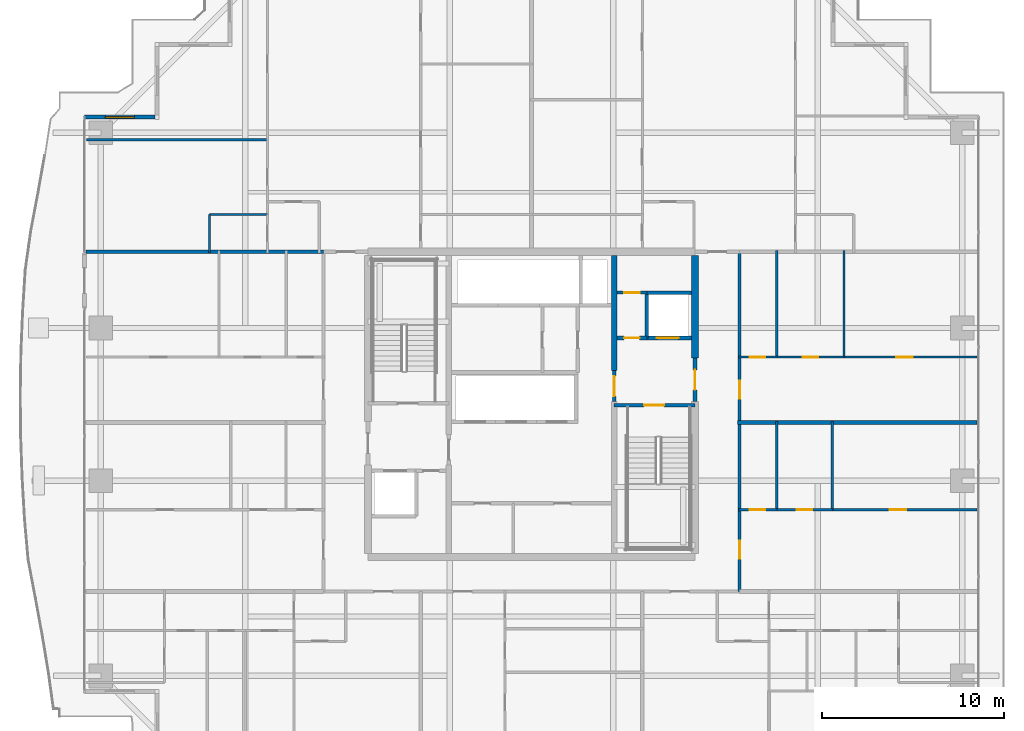
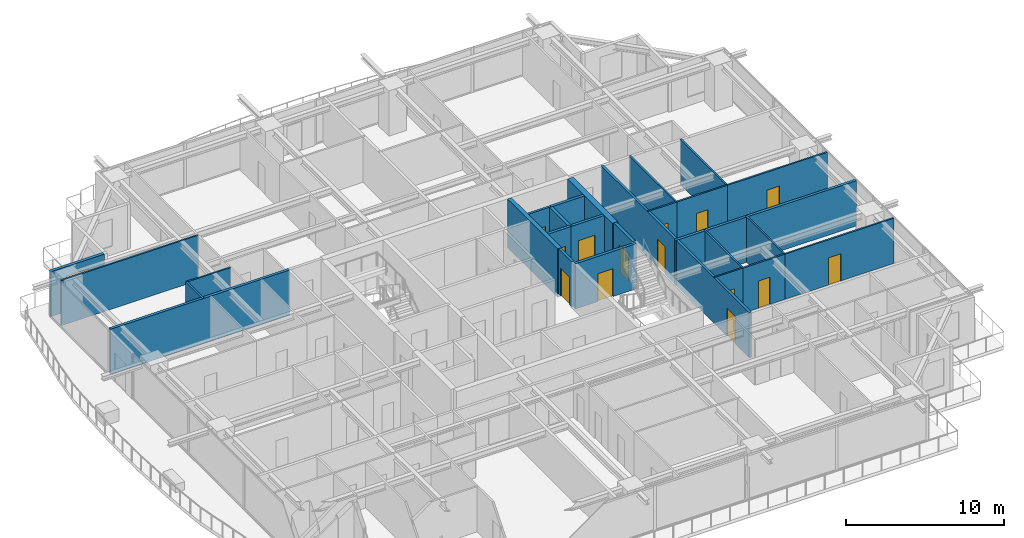
# One storey, part 29 of 39: 27 walls, 14 doors, 1 window, 15 openings.
"""IFC4 building model written with IfcOpenShell, lengths in metres."""

from ifc_helpers import new_model, si_unit, direction, frame, frame_2d, origin, place, context, subcontext, project, spatial, rectangle, extrude, source, transform, mapped, material, layer, layer_set, type_object, element, fill, save


model = new_model("IFC4")

# Units and contexts
model_context = context("Model", 3, precision=1e-05, world=origin(), true_north=direction((0.0, 1.0)))
body_context = subcontext(model_context, "Body", "Model", "MODEL_VIEW")
ifc_project = project(units=[si_unit("LENGTHUNIT", "METRE"), si_unit("AREAUNIT", "SQUARE_METRE"), si_unit("VOLUMEUNIT", "CUBIC_METRE"), si_unit("PLANEANGLEUNIT", "RADIAN"), si_unit("MASSUNIT", "GRAM", prefix="KILO")], contexts=[model_context])

# Site, building, storey
site_placement = place(None, origin())
site = spatial("IfcSite", under=ifc_project, at=site_placement, CompositionType="ELEMENT")
building_placement = place(site_placement, origin())
building = spatial("IfcBuilding", under=site, at=building_placement, Name="Serunith Strait Residences", CompositionType="ELEMENT")
storey_placement = place(building_placement, frame((0.0, 0.0, 123.89990234375)))
storey = spatial("IfcBuildingStorey", under=building, at=storey_placement, Name="L30", CompositionType="ELEMENT", Elevation=123.89990234375)

# Wall, opening, window
ifc_material_1 = material(Name="Pale-Champagne Aluminium Insulated Panel", Category="aluminium")
ifc_layer_1 = layer(ifc_material_1, 0.219970703125, Name="Pale-Champagne Aluminium Insulated Panel")
ifc_layer_set_1 = layer_set([ifc_layer_1], Name="Pale-Champagne Aluminium Insulated Panel")
wall_type_1 = type_object("IfcWallType", Name="EW-ALUM-220", PredefinedType="ELEMENTEDWALL", material=ifc_layer_set_1)
wall_1_placement = place(storey_placement, frame((11.68994140625, 41.0, 0.0), z_axis=(0.0, 0.0, 1.0), x_axis=(-1.0, 0.0, 0.0)))
wall_1 = element("IfcWall", 1, at=wall_1_placement, inside=storey, type_object=wall_type_1, Name="L30 Girih Serrated Corner Wall 15", PredefinedType="ELEMENTEDWALL", context=body_context, shape_type="SweptSolid", body=[
    extrude(rectangle(XDim=3.889892578125, YDim=0.219970703125, at=frame_2d((1.94482421875, 0.0))), origin(), (0.0, 0.0, 1.0), 3.47509765625),
])
opening_1_placement = place(wall_1_placement, frame((1.14501953125, 0.0, 0.64990234375)))
opening_1 = element("IfcOpeningElement", 2, at=opening_1_placement, cuts=wall_1, Name="Opening W-02", PredefinedType="OPENING", context=body_context, shape_type="SweptSolid", body=[
    extrude(rectangle(XDim=1.60009765625, YDim=2.10009765625, at=frame_2d((0.800048828125, 1.050048828125))), frame((0.0, 0.1201171875, 0.0), z_axis=(0.0, -1.0, 0.0), x_axis=(1.0, 0.0, 0.0)), (0.0, 0.0, 1.0), 0.239990234375),
])
ifc_material_2 = material(Name="Ceramic-Fritted Operable Aluminium Window Glass", Category="aluminium")
window_type = type_object("IfcWindowType", Name="WIN-C2", PartitioningType="DOUBLE_PANEL_VERTICAL", PredefinedType="WINDOW", material=ifc_material_2)
shared_shape_1 = source(origin(), body_context, "Body", "SweptSolid", [
    extrude(rectangle(XDim=1.60009765625, YDim=2.10009765625, at=frame_2d((0.800048828125, 1.050048828125))), frame((0.0, 0.030029296875, 0.0), z_axis=(0.0, -1.0, 0.0), x_axis=(1.0, 0.0, 0.0)), (0.0, 0.0, 1.0), 0.06005859375),
])
window_placement = place(opening_1_placement, origin())
window = element("IfcWindow", 3, at=window_placement, inside=storey, type_object=window_type, Name="L30 Corner Operable Fritted Window 15", OverallHeight=2.10009765625, OverallWidth=1.60009765625, PartitioningType="SINGLE_PANEL", PredefinedType="WINDOW", context=body_context, shape_type="MappedRepresentation", body=[
    mapped(shared_shape_1, transform((0.0, 0.0, 0.0), scale=1.0)),
])
fill(opening_1, window)

# Wall, opening, door
ifc_material_3 = material(Name="Fire-rated masonry service closet wall", Category="masonry")
ifc_layer_2 = layer(ifc_material_3, 0.14990234375, Name="Fire-rated masonry service closet wall")
ifc_layer_set_2 = layer_set([ifc_layer_2], Name="Fire-rated masonry service closet wall")
wall_type_2 = type_object("IfcWallType", Name="IW-BOH-150", PredefinedType="PARTITIONING", material=ifc_layer_set_2)
wall_2_placement = place(storey_placement, frame((37.10009765625, 31.35009765625, 0.0), z_axis=(0.0, 0.0, 1.0), x_axis=(1.0, 0.0, 0.0)))
wall_2 = element("IfcWall", 4, at=wall_2_placement, inside=storey, type_object=wall_type_2, Name="L30 Partition Wall 012", PredefinedType="PARTITIONING", context=body_context, shape_type="SweptSolid", body=[
    extrude(rectangle(XDim=1.64794921875, YDim=0.14990234375, at=frame_2d((0.823974609375, 0.0))), origin(), (0.0, 0.0, 1.0), 3.489990234375),
])
opening_2_placement = place(wall_2_placement, frame((0.39892578125, 0.0, 0.0)))
opening_2 = element("IfcOpeningElement", 5, at=opening_2_placement, cuts=wall_2, Name="Opening FD-850", PredefinedType="OPENING", context=body_context, shape_type="SweptSolid", body=[
    extrude(rectangle(XDim=0.85009765625, YDim=2.10009765625, at=frame_2d((0.425048828125, 1.050048828125))), frame((0.0, 0.0849609375, 0.0), z_axis=(0.0, -1.0, 0.0), x_axis=(1.0, 0.0, 0.0)), (0.0, 0.0, 1.0), 0.169921875),
])
ifc_material_4 = material(Name="Powder-coated steel service closet door", Category="steel")
door_type_1 = type_object("IfcDoorType", Name="FD-BOH-850", OperationType="NOTDEFINED", PredefinedType="DOOR", material=ifc_material_4)
shared_shape_2 = source(origin(), body_context, "Body", "SweptSolid", [
    extrude(rectangle(XDim=0.85009765625, YDim=2.10009765625, at=frame_2d((0.425048828125, 1.050048828125))), frame((0.0, 0.02490234375, 0.0), z_axis=(0.0, -1.0, 0.0), x_axis=(1.0, 0.0, 0.0)), (0.0, 0.0, 1.0), 0.050048828125),
])
door_1_placement = place(opening_2_placement, origin())
door_1 = element("IfcDoor", 6, at=door_1_placement, inside=storey, type_object=door_type_1, Name="L30 Spare Parts Store Door", OperationType="SINGLE_SWING_LEFT", OverallHeight=2.10009765625, OverallWidth=0.85009765625, PredefinedType="DOOR", context=body_context, shape_type="MappedRepresentation", body=[
    mapped(shared_shape_2, transform((0.0, 0.0, 0.0), scale=1.0)),
])
fill(opening_2, door_1)

# Wall, openings, doors
ifc_material_5 = material(Name="Fire-rated acoustic gypsum partition")
ifc_layer_3 = layer(ifc_material_5, 0.179931640625, Name="Fire-rated acoustic gypsum partition")
ifc_layer_set_3 = layer_set([ifc_layer_3], Name="Fire-rated acoustic gypsum partition")
wall_type_3 = type_object("IfcWallType", Name="IW-CORR-180", PredefinedType="PARTITIONING", material=ifc_layer_set_3)
wall_3_placement = place(storey_placement, frame((43.85009765625, 14.89990234375, 0.0), z_axis=(0.0, 0.0, 1.0), x_axis=(0.0, 1.0, 0.0)))
wall_3 = element("IfcWall", 7, at=wall_3_placement, inside=storey, type_object=wall_type_3, Name="L30 Partition Wall 029", PredefinedType="PARTITIONING", context=body_context, shape_type="SweptSolid", body=[
    extrude(rectangle(XDim=18.7001953125, YDim=0.179931640625, at=frame_2d((9.35009765625, 0.0))), origin(), (0.0, 0.0, 1.0), 3.489990234375),
])
opening_3_placement = place(wall_3_placement, frame((1.804931640625, 0.0, 0.0)))
opening_3 = element("IfcOpeningElement", 8, at=opening_3_placement, cuts=wall_3, Name="Opening D-APT1000", PredefinedType="OPENING", context=body_context, shape_type="SweptSolid", body=[
    extrude(rectangle(XDim=1.0, YDim=2.14990234375, at=frame_2d((0.5, 1.074951171875))), frame((0.0, 0.10009765625, 0.0), z_axis=(0.0, -1.0, 0.0), x_axis=(1.0, 0.0, 0.0)), (0.0, 0.0, 1.0), 0.199951171875),
])
opening_4_placement = place(wall_3_placement, frame((10.60205078125, 0.0, 0.0)))
opening_4 = element("IfcOpeningElement", 9, at=opening_4_placement, cuts=wall_3, Name="Opening D-APT1000", PredefinedType="OPENING", context=body_context, shape_type="SweptSolid", body=[
    extrude(rectangle(XDim=1.0, YDim=2.14990234375, at=frame_2d((0.5, 1.074951171875))), frame((0.0, 0.10009765625, 0.0), z_axis=(0.0, -1.0, 0.0), x_axis=(1.0, 0.0, 0.0)), (0.0, 0.0, 1.0), 0.199951171875),
])
ifc_material_6 = material(Name="Solid timber engineered fire door", Category="wood")
door_type_2 = type_object("IfcDoorType", Name="ID-APT-1000", OperationType="NOTDEFINED", PredefinedType="DOOR", material=ifc_material_6)
shared_shape_3 = source(origin(), body_context, "Body", "SweptSolid", [
    extrude(rectangle(XDim=1.0, YDim=2.14990234375, at=frame_2d((0.5, 1.074951171875))), frame((0.0, 0.02490234375, 0.0), z_axis=(0.0, -1.0, 0.0), x_axis=(1.0, 0.0, 0.0)), (0.0, 0.0, 1.0), 0.050048828125),
])
door_2_placement = place(opening_3_placement, origin())
door_2 = element("IfcDoor", 10, at=door_2_placement, inside=storey, type_object=door_type_2, Name="L30 Unit 08 Entrance Door", OperationType="SINGLE_SWING_LEFT", OverallHeight=2.14990234375, OverallWidth=1.0, PredefinedType="DOOR", context=body_context, shape_type="MappedRepresentation", body=[
    mapped(shared_shape_3, transform((0.0, 0.0, 0.0), scale=1.0)),
])
fill(opening_3, door_2)
door_3_placement = place(opening_4_placement, origin())
door_3 = element("IfcDoor", 11, at=door_3_placement, inside=storey, type_object=door_type_2, Name="L30 Unit 09 Entrance Door", OperationType="SINGLE_SWING_RIGHT", OverallHeight=2.14990234375, OverallWidth=1.0, PredefinedType="DOOR", context=body_context, shape_type="MappedRepresentation", body=[
    mapped(shared_shape_3, transform((0.0, 0.0, 0.0), scale=1.0)),
])
fill(opening_4, door_3)

# Walls
ifc_material_7 = material(Name="Lightweight steel-stud gypsum partition", Category="steel")
ifc_layer_4 = layer(ifc_material_7, 0.1201171875, Name="Lightweight steel-stud gypsum partition")
ifc_layer_set_4 = layer_set([ifc_layer_4], Name="Lightweight steel-stud gypsum partition")
wall_type_4 = type_object("IfcWallType", Name="IW-PART-120", PredefinedType="PARTITIONING", material=ifc_layer_set_4)
wall_4_placement = place(storey_placement, frame((7.89501953125, 39.764892578125, 0.0), z_axis=(0.0, 0.0, 1.0), x_axis=(1.0, 0.0, 0.0)))
element("IfcWall", 12, at=wall_4_placement, inside=storey, type_object=wall_type_4, Name="L30 Partition Wall 072", PredefinedType="PARTITIONING", context=body_context, shape_type="SweptSolid", body=[
    extrude(rectangle(XDim=9.97509765625, YDim=0.1201171875, at=frame_2d((4.987548828125, 0.0))), origin(), (0.0, 0.0, 1.0), 3.489990234375),
])
wall_5_placement = place(storey_placement, frame((14.669921875, 35.64990234375, 0.0), z_axis=(0.0, 0.0, 1.0), x_axis=(1.0, 0.0, 0.0)))
element("IfcWall", 13, at=wall_5_placement, inside=storey, type_object=wall_type_4, Name="L30 Partition Wall 073", PredefinedType="PARTITIONING", context=body_context, shape_type="SweptSolid", body=[
    extrude(rectangle(XDim=3.2001953125, YDim=0.1201171875, at=frame_2d((1.60009765625, 0.0))), origin(), (0.0, 0.0, 1.0), 3.489990234375),
])
wall_6_placement = place(storey_placement, frame((14.669921875, 35.64990234375, 0.0), z_axis=(0.0, 0.0, 1.0), x_axis=(0.0, -1.0, 0.0)))
element("IfcWall", 14, at=wall_6_placement, inside=storey, type_object=wall_type_4, Name="L30 Partition Wall 074", PredefinedType="PARTITIONING", context=body_context, shape_type="SweptSolid", body=[
    extrude(rectangle(XDim=2.10986328125, YDim=0.1201171875, at=frame_2d((1.054931640625, 0.0))), origin(), (0.0, 0.0, 1.0), 3.489990234375),
])

# Wall, opening, door
wall_7_placement = place(storey_placement, frame((56.905029296875, 19.39990234375, 0.0), z_axis=(0.0, 0.0, 1.0), x_axis=(-1.0, 0.0, 0.0)))
wall_7 = element("IfcWall", 15, at=wall_7_placement, inside=storey, type_object=wall_type_4, Name="L30 Partition Wall 105", PredefinedType="PARTITIONING", context=body_context, shape_type="SweptSolid", body=[
    extrude(rectangle(XDim=7.950927734375, YDim=0.1201171875, at=frame_2d((3.9755859375, 0.0))), origin(), (0.0, 0.0, 1.0), 3.489990234375),
])
opening_5_placement = place(wall_7_placement, frame((3.8779296875, 0.0, 0.0)))
opening_5 = element("IfcOpeningElement", 16, at=opening_5_placement, cuts=wall_7, Name="Opening D-RM900", PredefinedType="OPENING", context=body_context, shape_type="SweptSolid", body=[
    extrude(rectangle(XDim=0.89990234375, YDim=2.10009765625, at=frame_2d((0.449951171875, 1.050048828125))), frame((0.0, 0.070068359375, 0.0), z_axis=(0.0, -1.0, 0.0), x_axis=(1.0, 0.0, 0.0)), (0.0, 0.0, 1.0), 0.14013671875),
])
ifc_material_8 = material(Name="Engineered timber flush bedroom door", Category="wood")
door_type_3 = type_object("IfcDoorType", Name="ID-ROOM-900", OperationType="NOTDEFINED", PredefinedType="DOOR", material=ifc_material_8)
shared_shape_4 = source(origin(), body_context, "Body", "SweptSolid", [
    extrude(rectangle(XDim=0.89990234375, YDim=2.10009765625, at=frame_2d((0.449951171875, 1.050048828125))), frame((0.0, 0.02490234375, 0.0), z_axis=(0.0, -1.0, 0.0), x_axis=(1.0, 0.0, 0.0)), (0.0, 0.0, 1.0), 0.050048828125),
])
door_4_placement = place(opening_5_placement, origin())
door_4 = element("IfcDoor", 17, at=door_4_placement, inside=storey, type_object=door_type_3, Name="L30 Master Bedroom 1 3008 Door", OperationType="SINGLE_SWING_LEFT", OverallHeight=2.10009765625, OverallWidth=0.89990234375, PredefinedType="DOOR", context=body_context, shape_type="MappedRepresentation", body=[
    mapped(shared_shape_4, transform((0.0, 0.0, 0.0), scale=1.0)),
])
fill(opening_5, door_4)

# Walls
for number, where, z_axis, x_axis, name in (
    (18, (48.9541015625, 19.39990234375, 0.0), (0.0, 0.0, 1.0), (0.0, 1.0, 0.0), "L30 Partition Wall 106"),
    (19, (45.89990234375, 19.39990234375, 0.0), (0.0, 0.0, 1.0), (0.0, 1.0, 0.0), "L30 Partition Wall 107"),
):
    element("IfcWall", number, at=place(storey_placement, frame(where, z_axis=z_axis, x_axis=x_axis)), inside=storey, type_object=wall_type_4, Name=name, PredefinedType="PARTITIONING", context=body_context, shape_type="SweptSolid", body=[
        extrude(rectangle(XDim=4.860107421875, YDim=0.1201171875, at=frame_2d((2.43017578125, 0.0))), origin(), (0.0, 0.0, 1.0), 3.489990234375),
    ])

# Wall, opening, door
wall_8_placement = place(storey_placement, frame((48.951904296875, 19.39990234375, 0.0), z_axis=(0.0, 0.0, 1.0), x_axis=(-1.0, 0.0, 0.0)))
wall_8 = element("IfcWall", 20, at=wall_8_placement, inside=storey, type_object=wall_type_4, Name="L30 Partition Wall 108", PredefinedType="PARTITIONING", context=body_context, shape_type="SweptSolid", body=[
    extrude(rectangle(XDim=3.052001953125, YDim=0.1201171875, at=frame_2d((1.52587890625, 0.0))), origin(), (0.0, 0.0, 1.0), 3.489990234375),
])
opening_6_placement = place(wall_8_placement, frame((1.10107421875, 0.0, 0.0)))
opening_6 = element("IfcOpeningElement", 21, at=opening_6_placement, cuts=wall_8, Name="Opening D-RM850", PredefinedType="OPENING", context=body_context, shape_type="SweptSolid", body=[
    extrude(rectangle(XDim=0.85009765625, YDim=2.10009765625, at=frame_2d((0.425048828125, 1.050048828125))), frame((0.0, 0.070068359375, 0.0), z_axis=(0.0, -1.0, 0.0), x_axis=(1.0, 0.0, 0.0)), (0.0, 0.0, 1.0), 0.14013671875),
])
ifc_material_9 = material(Name="Engineered timber flush study and kitchen door", Category="wood")
door_type_4 = type_object("IfcDoorType", Name="ID-ROOM-850", OperationType="NOTDEFINED", PredefinedType="DOOR", material=ifc_material_9)
door_5_placement = place(opening_6_placement, origin())
door_5 = element("IfcDoor", 22, at=door_5_placement, inside=storey, type_object=door_type_4, Name="L30 Kitchen 3008 Door", OperationType="SINGLE_SWING_RIGHT", OverallHeight=2.10009765625, OverallWidth=0.85009765625, PredefinedType="DOOR", context=body_context, shape_type="MappedRepresentation", body=[
    mapped(shared_shape_2, transform((0.0, 0.0, 0.0), scale=1.0)),
])
fill(opening_6, door_5)

wall_9_placement = place(storey_placement, frame((45.89794921875, 19.39990234375, 0.0), z_axis=(0.0, 0.0, 1.0), x_axis=(-1.0, 0.0, 0.0)))
wall_9 = element("IfcWall", 23, at=wall_9_placement, inside=storey, type_object=wall_type_4, Name="L30 Partition Wall 109", PredefinedType="PARTITIONING", context=body_context, shape_type="SweptSolid", body=[
    extrude(rectangle(XDim=2.10791015625, YDim=0.1201171875, at=frame_2d((1.053955078125, 0.0))), origin(), (0.0, 0.0, 1.0), 3.489990234375),
])
opening_7_placement = place(wall_9_placement, frame((0.62890625, 0.0, 0.0)))
opening_7 = element("IfcOpeningElement", 24, at=opening_7_placement, cuts=wall_9, Name="Opening D-BTH850", PredefinedType="OPENING", context=body_context, shape_type="SweptSolid", body=[
    extrude(rectangle(XDim=0.85009765625, YDim=2.10009765625, at=frame_2d((0.425048828125, 1.050048828125))), frame((0.0, 0.070068359375, 0.0), z_axis=(0.0, -1.0, 0.0), x_axis=(1.0, 0.0, 0.0)), (0.0, 0.0, 1.0), 0.14013671875),
])
ifc_material_10 = material(Name="Moisture-resistant timber bathroom door", Category="wood")
door_type_5 = type_object("IfcDoorType", Name="ID-BATH-850", OperationType="NOTDEFINED", PredefinedType="DOOR", material=ifc_material_10)
door_6_placement = place(opening_7_placement, origin())
door_6 = element("IfcDoor", 25, at=door_6_placement, inside=storey, type_object=door_type_5, Name="L30 Bathroom 3008 Door", OperationType="SINGLE_SWING_LEFT", OverallHeight=2.10009765625, OverallWidth=0.85009765625, PredefinedType="DOOR", context=body_context, shape_type="MappedRepresentation", body=[
    mapped(shared_shape_2, transform((0.0, 0.0, 0.0), scale=1.0)),
])
fill(opening_7, door_6)

wall_10_placement = place(storey_placement, frame((56.905029296875, 27.800048828125, 0.0), z_axis=(0.0, 0.0, 1.0), x_axis=(-1.0, 0.0, 0.0)))
wall_10 = element("IfcWall", 26, at=wall_10_placement, inside=storey, type_object=wall_type_4, Name="L30 Partition Wall 110", PredefinedType="PARTITIONING", context=body_context, shape_type="SweptSolid", body=[
    extrude(rectangle(XDim=7.302978515625, YDim=0.1201171875, at=frame_2d((3.6513671875, 0.0))), origin(), (0.0, 0.0, 1.0), 3.489990234375),
])
opening_8_placement = place(wall_10_placement, frame((3.52197265625, 0.0, 0.0)))
opening_8 = element("IfcOpeningElement", 27, at=opening_8_placement, cuts=wall_10, Name="Opening D-RM900", PredefinedType="OPENING", context=body_context, shape_type="SweptSolid", body=[
    extrude(rectangle(XDim=0.89990234375, YDim=2.10009765625, at=frame_2d((0.449951171875, 1.050048828125))), frame((0.0, 0.070068359375, 0.0), z_axis=(0.0, -1.0, 0.0), x_axis=(1.0, 0.0, 0.0)), (0.0, 0.0, 1.0), 0.14013671875),
])
door_7_placement = place(opening_8_placement, origin())
door_7 = element("IfcDoor", 28, at=door_7_placement, inside=storey, type_object=door_type_3, Name="L30 Master Bedroom 1 3009 Door", OperationType="SINGLE_SWING_RIGHT", OverallHeight=2.10009765625, OverallWidth=0.89990234375, PredefinedType="DOOR", context=body_context, shape_type="MappedRepresentation", body=[
    mapped(shared_shape_4, transform((0.0, 0.0, 0.0), scale=1.0)),
])
fill(opening_8, door_7)

# Walls
for number, where, z_axis, x_axis, name in (
    (29, (49.60205078125, 27.800048828125, 0.0), (0.0, 0.0, 1.0), (0.0, 1.0, 0.0), "L30 Partition Wall 111"),
    (30, (45.89990234375, 27.800048828125, 0.0), (0.0, 0.0, 1.0), (0.0, 1.0, 0.0), "L30 Partition Wall 112"),
):
    element("IfcWall", number, at=place(storey_placement, frame(where, z_axis=z_axis, x_axis=x_axis)), inside=storey, type_object=wall_type_4, Name=name, PredefinedType="PARTITIONING", context=body_context, shape_type="SweptSolid", body=[
        extrude(rectangle(XDim=5.85986328125, YDim=0.1201171875, at=frame_2d((2.929931640625, 0.0))), origin(), (0.0, 0.0, 1.0), 3.489990234375),
    ])

# Wall, opening, door
wall_11_placement = place(storey_placement, frame((49.60009765625, 27.800048828125, 0.0), z_axis=(0.0, 0.0, 1.0), x_axis=(-1.0, 0.0, 0.0)))
wall_11 = element("IfcWall", 31, at=wall_11_placement, inside=storey, type_object=wall_type_4, Name="L30 Partition Wall 113", PredefinedType="PARTITIONING", context=body_context, shape_type="SweptSolid", body=[
    extrude(rectangle(XDim=3.7001953125, YDim=0.1201171875, at=frame_2d((1.85009765625, 0.0))), origin(), (0.0, 0.0, 1.0), 3.489990234375),
])
opening_9_placement = place(wall_11_placement, frame((1.425048828125, 0.0, 0.0)))
opening_9 = element("IfcOpeningElement", 32, at=opening_9_placement, cuts=wall_11, Name="Opening D-RM850", PredefinedType="OPENING", context=body_context, shape_type="SweptSolid", body=[
    extrude(rectangle(XDim=0.85009765625, YDim=2.10009765625, at=frame_2d((0.425048828125, 1.050048828125))), frame((0.0, 0.070068359375, 0.0), z_axis=(0.0, -1.0, 0.0), x_axis=(1.0, 0.0, 0.0)), (0.0, 0.0, 1.0), 0.14013671875),
])
door_8_placement = place(opening_9_placement, origin())
door_8 = element("IfcDoor", 33, at=door_8_placement, inside=storey, type_object=door_type_4, Name="L30 Kitchen 3009 Door", OperationType="SINGLE_SWING_LEFT", OverallHeight=2.10009765625, OverallWidth=0.85009765625, PredefinedType="DOOR", context=body_context, shape_type="MappedRepresentation", body=[
    mapped(shared_shape_2, transform((0.0, 0.0, 0.0), scale=1.0)),
])
fill(opening_9, door_8)

wall_12_placement = place(storey_placement, frame((45.89794921875, 27.800048828125, 0.0), z_axis=(0.0, 0.0, 1.0), x_axis=(-1.0, 0.0, 0.0)))
wall_12 = element("IfcWall", 34, at=wall_12_placement, inside=storey, type_object=wall_type_4, Name="L30 Partition Wall 114", PredefinedType="PARTITIONING", context=body_context, shape_type="SweptSolid", body=[
    extrude(rectangle(XDim=2.10791015625, YDim=0.1201171875, at=frame_2d((1.053955078125, 0.0))), origin(), (0.0, 0.0, 1.0), 3.489990234375),
])
opening_10_placement = place(wall_12_placement, frame((0.62890625, 0.0, 0.0)))
opening_10 = element("IfcOpeningElement", 35, at=opening_10_placement, cuts=wall_12, Name="Opening D-BTH850", PredefinedType="OPENING", context=body_context, shape_type="SweptSolid", body=[
    extrude(rectangle(XDim=0.85009765625, YDim=2.10009765625, at=frame_2d((0.425048828125, 1.050048828125))), frame((0.0, 0.070068359375, 0.0), z_axis=(0.0, -1.0, 0.0), x_axis=(1.0, 0.0, 0.0)), (0.0, 0.0, 1.0), 0.14013671875),
])
door_9_placement = place(opening_10_placement, origin())
door_9 = element("IfcDoor", 36, at=door_9_placement, inside=storey, type_object=door_type_5, Name="L30 Bathroom 3009 Door", OperationType="SINGLE_SWING_RIGHT", OverallHeight=2.10009765625, OverallWidth=0.85009765625, PredefinedType="DOOR", context=body_context, shape_type="MappedRepresentation", body=[
    mapped(shared_shape_2, transform((0.0, 0.0, 0.0), scale=1.0)),
])
fill(opening_10, door_9)

# Walls
ifc_material_11 = material(Name="Twin-stud acoustic gypsum board partition")
ifc_layer_5 = layer(ifc_material_11, 0.199951171875, Name="Twin-stud acoustic gypsum board partition")
ifc_layer_set_5 = layer_set([ifc_layer_5], Name="Twin-stud acoustic gypsum board partition")
wall_type_5 = type_object("IfcWallType", Name="IW-PARTY-200", PredefinedType="PARTITIONING", material=ifc_layer_set_5)
wall_13_placement = place(storey_placement, frame((43.72998046875, 24.199951171875, 0.0), z_axis=(0.0, 0.0, 1.0), x_axis=(1.0, 0.0, 0.0)))
element("IfcWall", 37, at=wall_13_placement, inside=storey, type_object=wall_type_5, Name="L30 Partition Wall 022", PredefinedType="PARTITIONING", context=body_context, shape_type="SweptSolid", body=[
    extrude(rectangle(XDim=13.18798828125, YDim=0.199951171875, at=frame_2d((6.593994140625, 0.0))), origin(), (0.0, 0.0, 1.0), 3.489990234375),
])
wall_14_placement = place(storey_placement, frame((7.882080078125, 33.60009765625, 0.0), z_axis=(0.0, 0.0, 1.0), x_axis=(1.0, 0.0, 0.0)))
element("IfcWall", 38, at=wall_14_placement, inside=storey, type_object=wall_type_5, Name="L30 Partition Wall 025", PredefinedType="PARTITIONING", context=body_context, shape_type="SweptSolid", body=[
    extrude(rectangle(XDim=13.06787109375, YDim=0.199951171875, at=frame_2d((6.533935546875, 0.0))), origin(), (0.0, 0.0, 1.0), 3.489990234375),
])

# Wall, opening, door
ifc_material_12 = material(Name="Autoclaved aerated concrete blockwork", Category="masonry")
ifc_layer_6 = layer(ifc_material_12, 0.199951171875, Name="Autoclaved aerated concrete blockwork")
ifc_layer_set_6 = layer_set([ifc_layer_6], Name="Autoclaved aerated concrete blockwork")
wall_type_6 = type_object("IfcWallType", Name="IW-SHAFT-200", PredefinedType="STANDARD", material=ifc_layer_set_6)
wall_15_placement = place(storey_placement, frame((36.949951171875, 25.14990234375, 0.0), z_axis=(0.0, 0.0, 1.0), x_axis=(1.0, 0.0, 0.0)))
wall_15 = element("IfcWall", 39, at=wall_15_placement, inside=storey, type_object=wall_type_6, Name="L30 ST-2 North Shaft Wall", PredefinedType="STANDARD", context=body_context, shape_type="SweptSolid", body=[
    extrude(rectangle(XDim=4.449951171875, YDim=0.199951171875, at=frame_2d((2.22509765625, 0.0))), origin(), (0.0, 0.0, 1.0), 3.489990234375),
])
opening_11_placement = place(wall_15_placement, frame((1.64990234375, 0.0, 0.0)))
opening_11 = element("IfcOpeningElement", 40, at=opening_11_placement, cuts=wall_15, Name="Opening FD-1100", PredefinedType="OPENING", context=body_context, shape_type="SweptSolid", body=[
    extrude(rectangle(XDim=1.10009765625, YDim=2.14990234375, at=frame_2d((0.550048828125, 1.074951171875))), frame((0.0, 0.10986328125, 0.0), z_axis=(0.0, -1.0, 0.0), x_axis=(1.0, 0.0, 0.0)), (0.0, 0.0, 1.0), 0.219970703125),
])
ifc_material_13 = material(Name="Galvanised steel fire door leaf", Category="steel")
door_type_6 = type_object("IfcDoorType", Name="FD-STAIR-1100", OperationType="NOTDEFINED", PredefinedType="DOOR", material=ifc_material_13)
shared_shape_5 = source(origin(), body_context, "Body", "SweptSolid", [
    extrude(rectangle(XDim=1.10009765625, YDim=2.14990234375, at=frame_2d((0.550048828125, 1.074951171875))), frame((0.0, 0.02490234375, 0.0), z_axis=(0.0, -1.0, 0.0), x_axis=(1.0, 0.0, 0.0)), (0.0, 0.0, 1.0), 0.050048828125),
])
door_10_placement = place(opening_11_placement, origin())
door_10 = element("IfcDoor", 41, at=door_10_placement, inside=storey, type_object=door_type_6, Name="L30 ST-2 Escape Stair Door", OperationType="SINGLE_SWING_LEFT", OverallHeight=2.14990234375, OverallWidth=1.10009765625, PredefinedType="DOOR", context=body_context, shape_type="MappedRepresentation", body=[
    mapped(shared_shape_5, transform((0.0, 0.0, 0.0), scale=1.0)),
])
fill(opening_11, door_10)

wall_16_placement = place(storey_placement, frame((38.75, 28.85009765625, 0.0), z_axis=(0.0, 0.0, 1.0), x_axis=(1.0, 0.0, 0.0)))
wall_16 = element("IfcWall", 42, at=wall_16_placement, inside=storey, type_object=wall_type_6, Name="L30 FL-2 South Shaft Wall", PredefinedType="STANDARD", context=body_context, shape_type="SweptSolid", body=[
    extrude(rectangle(XDim=2.449951171875, YDim=0.199951171875, at=frame_2d((1.22509765625, 0.0))), origin(), (0.0, 0.0, 1.0), 3.489990234375),
])
opening_12_placement = place(wall_16_placement, frame((0.550048828125, 0.0, 0.0)))
opening_12 = element("IfcOpeningElement", 43, at=opening_12_placement, cuts=wall_16, Name="Opening LD-FF1200", PredefinedType="OPENING", context=body_context, shape_type="SweptSolid", body=[
    extrude(rectangle(XDim=1.199951171875, YDim=2.199951171875, at=frame_2d((0.60009765625, 1.10009765625))), frame((0.0, 0.10986328125, 0.0), z_axis=(0.0, -1.0, 0.0), x_axis=(1.0, 0.0, 0.0)), (0.0, 0.0, 1.0), 0.219970703125),
])
ifc_material_14 = material(Name="Brushed stainless steel landing door", Category="steel")
door_type_7 = type_object("IfcDoorType", Name="LD-FF-1200", OperationType="DOUBLE_DOOR_SLIDING", PredefinedType="DOOR", material=ifc_material_14)
shared_shape_6 = source(origin(), body_context, "Body", "SweptSolid", [
    extrude(rectangle(XDim=1.199951171875, YDim=2.199951171875, at=frame_2d((0.60009765625, 1.10009765625))), frame((0.0, 0.02490234375, 0.0), z_axis=(0.0, -1.0, 0.0), x_axis=(1.0, 0.0, 0.0)), (0.0, 0.0, 1.0), 0.050048828125),
])
door_11_placement = place(opening_12_placement, origin())
door_11 = element("IfcDoor", 44, at=door_11_placement, inside=storey, type_object=door_type_7, Name="L30 FL-2 Landing Door", OperationType="DOUBLE_DOOR_SLIDING", OverallHeight=2.199951171875, OverallWidth=1.199951171875, PredefinedType="DOOR", context=body_context, shape_type="MappedRepresentation", body=[
    mapped(shared_shape_6, transform((0.0, 0.0, 0.0), scale=1.0)),
])
fill(opening_12, door_11)

# Walls
wall_17_placement = place(storey_placement, frame((38.75, 28.85009765625, 0.0), z_axis=(0.0, 0.0, 1.0), x_axis=(0.0, 1.0, 0.0)))
element("IfcWall", 45, at=wall_17_placement, inside=storey, type_object=wall_type_6, Name="L30 Partition Wall 004", PredefinedType="STANDARD", context=body_context, shape_type="SweptSolid", body=[
    extrude(rectangle(XDim=2.5, YDim=0.199951171875, at=frame_2d((1.25, 0.0))), origin(), (0.0, 0.0, 1.0), 3.489990234375),
])
wall_18_placement = place(storey_placement, frame((38.75, 31.35009765625, 0.0), z_axis=(0.0, 0.0, 1.0), x_axis=(1.0, 0.0, 0.0)))
element("IfcWall", 46, at=wall_18_placement, inside=storey, type_object=wall_type_6, Name="L30 Partition Wall 005", PredefinedType="STANDARD", context=body_context, shape_type="SweptSolid", body=[
    extrude(rectangle(XDim=2.449951171875, YDim=0.199951171875, at=frame_2d((1.22509765625, 0.0))), origin(), (0.0, 0.0, 1.0), 3.489990234375),
])

# Wall, opening, door
wall_19_placement = place(storey_placement, frame((37.10009765625, 28.85009765625, 0.0), z_axis=(0.0, 0.0, 1.0), x_axis=(1.0, 0.0, 0.0)))
wall_19 = element("IfcWall", 47, at=wall_19_placement, inside=storey, type_object=wall_type_6, Name="L30 Partition Wall 006", PredefinedType="STANDARD", context=body_context, shape_type="SweptSolid", body=[
    extrude(rectangle(XDim=1.64794921875, YDim=0.199951171875, at=frame_2d((0.823974609375, 0.0))), origin(), (0.0, 0.0, 1.0), 3.489990234375),
])
opening_13_placement = place(wall_19_placement, frame((0.39892578125, 0.0, 0.0)))
opening_13 = element("IfcOpeningElement", 48, at=opening_13_placement, cuts=wall_19, Name="Opening FD-850", PredefinedType="OPENING", context=body_context, shape_type="SweptSolid", body=[
    extrude(rectangle(XDim=0.85009765625, YDim=2.10009765625, at=frame_2d((0.425048828125, 1.050048828125))), frame((0.0, 0.10986328125, 0.0), z_axis=(0.0, -1.0, 0.0), x_axis=(1.0, 0.0, 0.0)), (0.0, 0.0, 1.0), 0.219970703125),
])
door_12_placement = place(opening_13_placement, origin())
door_12 = element("IfcDoor", 49, at=door_12_placement, inside=storey, type_object=door_type_1, Name="L30 North-East Core Service Door", OperationType="SINGLE_SWING_RIGHT", OverallHeight=2.10009765625, OverallWidth=0.85009765625, PredefinedType="DOOR", context=body_context, shape_type="MappedRepresentation", body=[
    mapped(shared_shape_2, transform((0.0, 0.0, 0.0), scale=1.0)),
])
fill(opening_13, door_12)

wall_20_placement = place(storey_placement, frame((41.39990234375, 25.35205078125, 0.0), z_axis=(0.0, 0.0, 1.0), x_axis=(0.0, 1.0, 0.0)))
wall_20 = element("IfcWall", 50, at=wall_20_placement, inside=storey, type_object=wall_type_6, Name="L30 Partition Wall 008", PredefinedType="STANDARD", context=body_context, shape_type="SweptSolid", body=[
    extrude(rectangle(XDim=2.39599609375, YDim=0.199951171875, at=frame_2d((1.197998046875, 0.0))), origin(), (0.0, 0.0, 1.0), 3.489990234375),
])
opening_14_placement = place(wall_20_placement, frame((0.64794921875, 0.0, 0.0)))
opening_14 = element("IfcOpeningElement", 51, at=opening_14_placement, cuts=wall_20, Name="Opening FD-FFL", PredefinedType="OPENING", context=body_context, shape_type="SweptSolid", body=[
    extrude(rectangle(XDim=1.10009765625, YDim=2.14990234375, at=frame_2d((0.550048828125, 1.074951171875))), frame((0.0, 0.10986328125, 0.0), z_axis=(0.0, -1.0, 0.0), x_axis=(1.0, 0.0, 0.0)), (0.0, 0.0, 1.0), 0.219970703125),
])
ifc_material_15 = material(Name="Glazed steel smoke-lobby fire door", Category="steel")
door_type_8 = type_object("IfcDoorType", Name="FD-FFL-1100", OperationType="NOTDEFINED", PredefinedType="DOOR", material=ifc_material_15)
door_13_placement = place(opening_14_placement, origin())
door_13 = element("IfcDoor", 52, at=door_13_placement, inside=storey, type_object=door_type_8, Name="L30 FFL-2 Corridor Fire Door", OperationType="SINGLE_SWING_RIGHT", OverallHeight=2.14990234375, OverallWidth=1.10009765625, PredefinedType="DOOR", context=body_context, shape_type="MappedRepresentation", body=[
    mapped(shared_shape_5, transform((0.0, 0.0, 0.0), scale=1.0)),
])
fill(opening_14, door_13)

wall_21_placement = place(storey_placement, frame((36.949951171875, 25.35205078125, 0.0), z_axis=(0.0, 0.0, 1.0), x_axis=(0.0, 1.0, 0.0)))
wall_21 = element("IfcWall", 53, at=wall_21_placement, inside=storey, type_object=wall_type_6, Name="L30 Partition Wall 010", PredefinedType="STANDARD", context=body_context, shape_type="SweptSolid", body=[
    extrude(rectangle(XDim=1.696044921875, YDim=0.199951171875, at=frame_2d((0.84814453125, 0.0))), origin(), (0.0, 0.0, 1.0), 3.489990234375),
])
opening_15_placement = place(wall_21_placement, frame((0.298095703125, 0.0, 0.0)))
opening_15 = element("IfcOpeningElement", 54, at=opening_15_placement, cuts=wall_21, Name="Opening FD-FFL", PredefinedType="OPENING", context=body_context, shape_type="SweptSolid", body=[
    extrude(rectangle(XDim=1.10009765625, YDim=2.14990234375, at=frame_2d((0.550048828125, 1.074951171875))), frame((0.0, 0.10986328125, 0.0), z_axis=(0.0, -1.0, 0.0), x_axis=(1.0, 0.0, 0.0)), (0.0, 0.0, 1.0), 0.219970703125),
])
door_14_placement = place(opening_15_placement, origin())
door_14 = element("IfcDoor", 55, at=door_14_placement, inside=storey, type_object=door_type_8, Name="L30 FFL-2 Lift Lobby Door", OperationType="SINGLE_SWING_RIGHT", OverallHeight=2.14990234375, OverallWidth=1.10009765625, PredefinedType="DOOR", context=body_context, shape_type="MappedRepresentation", body=[
    mapped(shared_shape_5, transform((0.0, 0.0, 0.0), scale=1.0)),
])
fill(opening_15, door_14)

# Walls
ifc_material_16 = material(Name="Concrete C70/85", Category="concrete")
ifc_layer_7 = layer(ifc_material_16, 0.300048828125, Name="Concrete C70/85")
ifc_layer_set_7 = layer_set([ifc_layer_7], Name="Concrete C70/85")
wall_type_7 = type_object("IfcWallType", Name="SW-300-C70", PredefinedType="SHEAR", material=ifc_layer_set_7)
wall_22_placement = place(storey_placement, frame((36.949951171875, 27.050048828125, -0.260009765625), z_axis=(0.0, 0.0, 1.0), x_axis=(0.0, 1.0, 0.0)))
element("IfcWall", 56, at=wall_22_placement, inside=storey, type_object=wall_type_7, Name="L30 Core Internal East Web North Pier", PredefinedType="SHEAR", context=body_context, shape_type="SweptSolid", body=[
    extrude(rectangle(XDim=6.349853515625, YDim=0.300048828125, at=frame_2d((3.1748046875, 0.0))), origin(), (0.0, 0.0, 1.0), 3.748046875),
])
ifc_layer_8 = layer(ifc_material_16, 0.39990234375, Name="Concrete C70/85")
ifc_layer_set_8 = layer_set([ifc_layer_8], Name="Concrete C70/85")
wall_type_8 = type_object("IfcWallType", Name="SW-400-C70", PredefinedType="SHEAR", material=ifc_layer_set_8)
wall_23_placement = place(storey_placement, frame((41.39990234375, 27.75, -0.260009765625), z_axis=(0.0, 0.0, 1.0), x_axis=(0.0, 1.0, 0.0)))
element("IfcWall", 57, at=wall_23_placement, inside=storey, type_object=wall_type_8, Name="L30 Core East Shear Wall North Pier", PredefinedType="SHEAR", context=body_context, shape_type="SweptSolid", body=[
    extrude(rectangle(XDim=5.64990234375, YDim=0.39990234375, at=frame_2d((2.824951171875, 0.0))), origin(), (0.0, 0.0, 1.0), 3.748046875),
])

save(model, "model.ifc")
